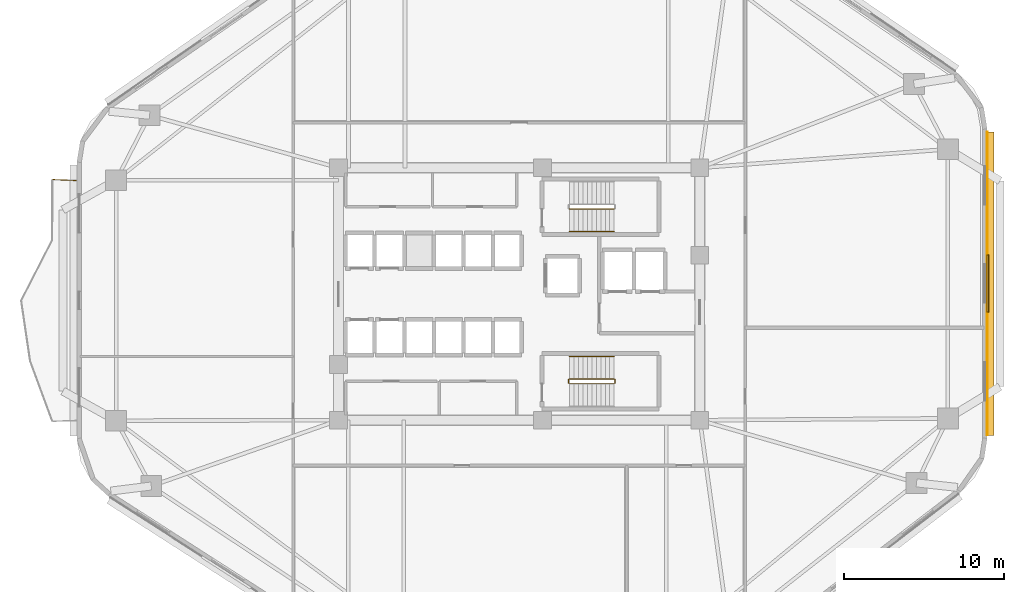
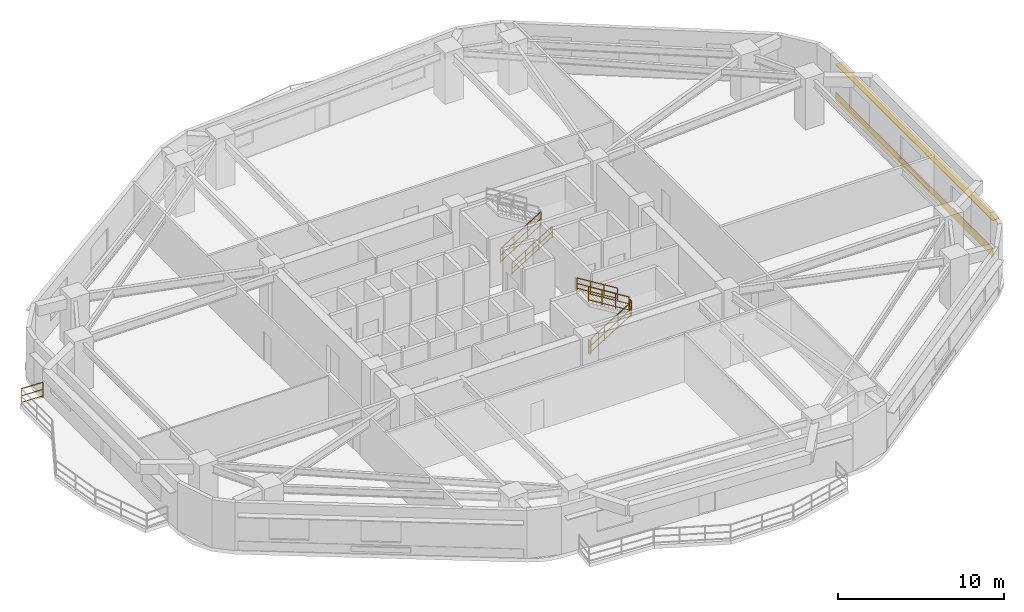
# One storey, part 8 of 11: 8 railings, 2 shading devices, 1 covering.
"""IFC4 building model written with IfcOpenShell, lengths in metres."""

from ifc_helpers import new_model, si_unit, direction, frame, origin, origin_2d, place, context, subcontext, project, spatial, rectangle, extrude, material, layer, layer_set, type_object, element, save


model = new_model("IFC4")

# Units and contexts
model_context = context("Model", 3, precision=1e-05, world=origin(), true_north=direction((0.0, 1.0)))
body_context = subcontext(model_context, "Body", "Model", "MODEL_VIEW")
ifc_project = project(units=[si_unit("LENGTHUNIT", "METRE"), si_unit("AREAUNIT", "SQUARE_METRE"), si_unit("VOLUMEUNIT", "CUBIC_METRE"), si_unit("PLANEANGLEUNIT", "RADIAN"), si_unit("MASSUNIT", "GRAM", prefix="KILO")], contexts=[model_context])

# Site, building, storey
site_placement = place(None, origin())
site = spatial("IfcSite", under=ifc_project, at=site_placement, CompositionType="ELEMENT")
building_placement = place(site_placement, origin())
building = spatial("IfcBuilding", under=site, at=building_placement, Name="Zulverin Broadcast Headquarters", CompositionType="ELEMENT")
storey_placement = place(building_placement, frame((0.0, 0.0, 28.800048828125)))
storey = spatial("IfcBuildingStorey", under=building, at=storey_placement, Name="L06", CompositionType="ELEMENT", Elevation=28.800048828125)

# Covering
ifc_material_1 = material(Name="Brushed pale-aluminium rainscreen cladding", Category="aluminium")
ifc_layer_1 = layer(ifc_material_1, 0.0400390625, Name="Brushed pale-aluminium rainscreen cladding", Category="aluminium")
ifc_layer_set_1 = layer_set([ifc_layer_1], Name="Brushed pale-aluminium rainscreen cladding")
covering_type = type_object("IfcCoveringType", Name="COV-CLAD-PALE", PredefinedType="CLADDING", material=ifc_layer_set_1)
covering_placement = place(storey_placement, frame((66.2099609375, 25.848876953125, 0.054931640625), z_axis=(0.0, 0.0, 1.0), x_axis=(0.0, 1.0, 0.0)))
element("IfcCovering", 1, at=covering_placement, inside=storey, type_object=covering_type, Name="L06 Brushed Pale-Aluminium Spandrel Cladding 3", PredefinedType="CLADDING", context=body_context, shape_type="SweptSolid", body=[
    extrude(rectangle(XDim=18.93115234375, YDim=0.0400390625, at=origin_2d()), origin(), (0.0, 0.0, 1.0), 0.64990234375),
])

# Railings
ifc_material_2 = material(Name="Brushed stainless steel & laminated glass balustrade", Category="steel")
railing_type_1 = type_object("IfcRailingType", Name="RL-GUARD-1150", PredefinedType="GUARDRAIL", material=ifc_material_2)
railing_1_placement = place(storey_placement, frame((9.360107421875, 32.284423828125, 0.0)))
element("IfcRailing", 2, at=railing_1_placement, inside=storey, type_object=railing_type_1, Name="L06 Vertical-Forest Balcony Guardrail BAL_W Segment 01", PredefinedType="GUARDRAIL", context=body_context, shape_type="SweptSolid", body=[
    extrude(rectangle(XDim=0.048095703125, YDim=0.048095703125, at=origin_2d()), frame((0.0, 0.0, 1.1259765625), z_axis=(-0.999181155166, 0.040460093435, 0.0), x_axis=(-0.040460093435, -0.999181155166, 0.0)), (0.0, 0.0, 1.0), 1.46630859375),
    extrude(rectangle(XDim=0.0419921875, YDim=0.0419921875, at=origin_2d()), frame((0.0, 0.0, 0.597900390625), z_axis=(-0.999181155166, 0.040460093435, 0.0), x_axis=(-0.040460093435, -0.999181155166, 0.0)), (0.0, 0.0, 1.0), 1.46630859375),
    extrude(rectangle(XDim=0.0419921875, YDim=0.0419921875, at=origin_2d()), frame((0.0, 0.0, 0.1201171875), z_axis=(-0.999181155166, 0.040460093435, 0.0), x_axis=(-0.040460093435, -0.999181155166, 0.0)), (0.0, 0.0, 1.0), 1.46630859375),
    extrude(rectangle(XDim=0.0419921875, YDim=0.0419921875, at=origin_2d()), origin(), (0.0, 0.0, 1.0), 1.101806640625),
    extrude(rectangle(XDim=0.0419921875, YDim=0.0419921875, at=origin_2d()), frame((-1.465087890625, 0.059326171875, 0.0)), (0.0, 0.0, 1.0), 1.101806640625),
])
ifc_material_3 = material(Name="Painted galvanized steel tubular guardrail S355JR", Category="steel")
railing_type_2 = type_object("IfcRailingType", Name="RL-ST-GUARD", PredefinedType="GUARDRAIL", material=ifc_material_3)
for number, where, name in (
    (3, (40.1298828125, 30.5, 0.172607421875), "L06 ST-1 stair guard 1"),
    (4, (40.1298828125, 19.60009765625, 0.172607421875), "L06 ST-2 stair guard 1"),
):
    element("IfcRailing", number, at=place(storey_placement, frame(where)), inside=storey, type_object=railing_type_2, Name=name, PredefinedType="GUARDRAIL", context=body_context, shape_type="SweptSolid", body=[
        extrude(rectangle(XDim=0.048095703125, YDim=0.048095703125, at=origin_2d()), frame((0.0, 0.0, 1.076171875), z_axis=(0.851089632645, 0.0, 0.525020415988), x_axis=(0.0, 1.0, 0.0)), (0.0, 0.0, 1.0), 3.2900390625),
        extrude(rectangle(XDim=0.0419921875, YDim=0.0419921875, at=origin_2d()), frame((0.0, 0.0, 0.572021484375), z_axis=(0.851089632645, 0.0, 0.525020415988), x_axis=(0.0, 1.0, 0.0)), (0.0, 0.0, 1.0), 3.2900390625),
        extrude(rectangle(XDim=0.0419921875, YDim=0.0419921875, at=origin_2d()), frame((0.0, 0.0, 0.1201171875), z_axis=(0.851089632645, 0.0, 0.525020415988), x_axis=(0.0, 1.0, 0.0)), (0.0, 0.0, 1.0), 3.2900390625),
        extrude(rectangle(XDim=0.0419921875, YDim=0.0419921875, at=origin_2d()), origin(), (0.0, 0.0, 1.0), 1.052001953125),
        extrude(rectangle(XDim=0.0419921875, YDim=0.0419921875, at=origin_2d()), frame((0.933349609375, 0.0, 0.57568359375)), (0.0, 0.0, 1.0), 1.052001953125),
        extrude(rectangle(XDim=0.0419921875, YDim=0.0419921875, at=origin_2d()), frame((1.86669921875, 0.0, 1.151611328125)), (0.0, 0.0, 1.0), 1.052001953125),
        extrude(rectangle(XDim=0.0419921875, YDim=0.0419921875, at=origin_2d()), frame((2.800048828125, 0.0, 1.727294921875)), (0.0, 0.0, 1.0), 1.052001953125),
    ])
railing_2_placement = place(storey_placement, frame((42.97998046875, 19.64990234375, 1.89990234375)))
element("IfcRailing", 5, at=railing_2_placement, inside=storey, type_object=railing_type_2, Name="L06 ST-2 stair guard 2", PredefinedType="GUARDRAIL", context=body_context, shape_type="SweptSolid", body=[
    extrude(rectangle(XDim=0.048095703125, YDim=0.048095703125, at=origin_2d()), frame((0.0, 0.0, 1.076171875), z_axis=(0.0, 1.0, 0.0), x_axis=(-1.0, 0.0, 0.0)), (0.0, 0.0, 1.0), 0.2001953125),
    extrude(rectangle(XDim=0.0419921875, YDim=0.0419921875, at=origin_2d()), frame((0.0, 0.0, 0.572021484375), z_axis=(0.0, 1.0, 0.0), x_axis=(-1.0, 0.0, 0.0)), (0.0, 0.0, 1.0), 0.2001953125),
    extrude(rectangle(XDim=0.0419921875, YDim=0.0419921875, at=origin_2d()), frame((0.0, 0.0, 0.1201171875), z_axis=(0.0, 1.0, 0.0), x_axis=(-1.0, 0.0, 0.0)), (0.0, 0.0, 1.0), 0.2001953125),
    extrude(rectangle(XDim=0.0419921875, YDim=0.0419921875, at=origin_2d()), origin(), (0.0, 0.0, 1.0), 1.052001953125),
    extrude(rectangle(XDim=0.0419921875, YDim=0.0419921875, at=origin_2d()), frame((0.0, 0.2001953125, 0.0)), (0.0, 0.0, 1.0), 1.052001953125),
])
railing_3_placement = place(storey_placement, frame((42.929931640625, 19.89990234375, 2.07275390625)))
element("IfcRailing", 6, at=railing_3_placement, inside=storey, type_object=railing_type_2, Name="L06 ST-2 stair guard 3", PredefinedType="GUARDRAIL", context=body_context, shape_type="SweptSolid", body=[
    extrude(rectangle(XDim=0.048095703125, YDim=0.048095703125, at=origin_2d()), frame((0.0, 0.0, 1.076171875), z_axis=(-0.851089632645, 0.0, 0.525020415988), x_axis=(0.0, -1.0, 0.0)), (0.0, 0.0, 1.0), 3.2900390625),
    extrude(rectangle(XDim=0.0419921875, YDim=0.0419921875, at=origin_2d()), frame((0.0, 0.0, 0.572021484375), z_axis=(-0.851089632645, 0.0, 0.525020415988), x_axis=(0.0, -1.0, 0.0)), (0.0, 0.0, 1.0), 3.2900390625),
    extrude(rectangle(XDim=0.0419921875, YDim=0.0419921875, at=origin_2d()), frame((0.0, 0.0, 0.1201171875), z_axis=(-0.851089632645, 0.0, 0.525020415988), x_axis=(0.0, -1.0, 0.0)), (0.0, 0.0, 1.0), 3.2900390625),
    extrude(rectangle(XDim=0.0419921875, YDim=0.0419921875, at=origin_2d()), origin(), (0.0, 0.0, 1.0), 1.052001953125),
    extrude(rectangle(XDim=0.0419921875, YDim=0.0419921875, at=origin_2d()), frame((-0.933349609375, 0.0, 0.57568359375)), (0.0, 0.0, 1.0), 1.052001953125),
    extrude(rectangle(XDim=0.0419921875, YDim=0.0419921875, at=origin_2d()), frame((-1.86669921875, 0.0, 1.151611328125)), (0.0, 0.0, 1.0), 1.052001953125),
    extrude(rectangle(XDim=0.0419921875, YDim=0.0419921875, at=origin_2d()), frame((-2.800048828125, 0.0, 1.727294921875)), (0.0, 0.0, 1.0), 1.052001953125),
])
railing_4_placement = place(storey_placement, frame((40.080078125, 19.64990234375, 0.0)))
element("IfcRailing", 7, at=railing_4_placement, inside=storey, type_object=railing_type_2, Name="L06 ST-2 stair guard 4", PredefinedType="GUARDRAIL", context=body_context, shape_type="SweptSolid", body=[
    extrude(rectangle(XDim=0.048095703125, YDim=0.048095703125, at=origin_2d()), frame((0.0, 0.0, 1.076171875), z_axis=(0.0, 1.0, 0.0), x_axis=(-1.0, 0.0, 0.0)), (0.0, 0.0, 1.0), 0.2001953125),
    extrude(rectangle(XDim=0.0419921875, YDim=0.0419921875, at=origin_2d()), frame((0.0, 0.0, 0.572021484375), z_axis=(0.0, 1.0, 0.0), x_axis=(-1.0, 0.0, 0.0)), (0.0, 0.0, 1.0), 0.2001953125),
    extrude(rectangle(XDim=0.0419921875, YDim=0.0419921875, at=origin_2d()), frame((0.0, 0.0, 0.1201171875), z_axis=(0.0, 1.0, 0.0), x_axis=(-1.0, 0.0, 0.0)), (0.0, 0.0, 1.0), 0.2001953125),
    extrude(rectangle(XDim=0.0419921875, YDim=0.0419921875, at=origin_2d()), origin(), (0.0, 0.0, 1.0), 1.052001953125),
    extrude(rectangle(XDim=0.0419921875, YDim=0.0419921875, at=origin_2d()), frame((0.0, 0.2001953125, 0.0)), (0.0, 0.0, 1.0), 1.052001953125),
])
ifc_material_4 = material(Name="Brushed stainless steel 48 mm handrail", Category="steel")
railing_type_3 = type_object("IfcRailingType", Name="RL-ST-HAND", PredefinedType="HANDRAIL", material=ifc_material_4)
railing_5_placement = place(storey_placement, frame((40.1298828125, 29.10009765625, 0.172607421875)))
element("IfcRailing", 8, at=railing_5_placement, inside=storey, type_object=railing_type_3, Name="L06 ST-1 stair handrail 1", PredefinedType="HANDRAIL", context=body_context, shape_type="SweptSolid", body=[
    extrude(rectangle(XDim=0.048095703125, YDim=0.048095703125, at=origin_2d()), frame((0.0, 0.0, 0.8759765625), z_axis=(0.851089632645, 0.0, 0.525020415988), x_axis=(0.0, 1.0, 0.0)), (0.0, 0.0, 1.0), 3.2900390625),
    extrude(rectangle(XDim=0.0419921875, YDim=0.0419921875, at=origin_2d()), frame((0.0, 0.0, 0.468017578125), z_axis=(0.851089632645, 0.0, 0.525020415988), x_axis=(0.0, 1.0, 0.0)), (0.0, 0.0, 1.0), 3.2900390625),
    extrude(rectangle(XDim=0.0419921875, YDim=0.0419921875, at=origin_2d()), frame((0.0, 0.0, 0.1201171875), z_axis=(0.851089632645, 0.0, 0.525020415988), x_axis=(0.0, 1.0, 0.0)), (0.0, 0.0, 1.0), 3.2900390625),
    extrude(rectangle(XDim=0.0419921875, YDim=0.0419921875, at=origin_2d()), origin(), (0.0, 0.0, 1.0), 0.851806640625),
    extrude(rectangle(XDim=0.0419921875, YDim=0.0419921875, at=origin_2d()), frame((0.933349609375, 0.0, 0.57568359375)), (0.0, 0.0, 1.0), 0.851806640625),
    extrude(rectangle(XDim=0.0419921875, YDim=0.0419921875, at=origin_2d()), frame((1.86669921875, 0.0, 1.151611328125)), (0.0, 0.0, 1.0), 0.851806640625),
    extrude(rectangle(XDim=0.0419921875, YDim=0.0419921875, at=origin_2d()), frame((2.800048828125, 0.0, 1.727294921875)), (0.0, 0.0, 1.0), 0.851806640625),
])
railing_6_placement = place(storey_placement, frame((42.929931640625, 21.300048828125, 2.07275390625)))
element("IfcRailing", 9, at=railing_6_placement, inside=storey, type_object=railing_type_3, Name="L06 ST-2 stair handrail 2", PredefinedType="HANDRAIL", context=body_context, shape_type="SweptSolid", body=[
    extrude(rectangle(XDim=0.048095703125, YDim=0.048095703125, at=origin_2d()), frame((0.0, 0.0, 0.8759765625), z_axis=(-0.851089632645, 0.0, 0.525020415988), x_axis=(0.0, -1.0, 0.0)), (0.0, 0.0, 1.0), 3.2900390625),
    extrude(rectangle(XDim=0.0419921875, YDim=0.0419921875, at=origin_2d()), frame((0.0, 0.0, 0.468017578125), z_axis=(-0.851089632645, 0.0, 0.525020415988), x_axis=(0.0, -1.0, 0.0)), (0.0, 0.0, 1.0), 3.2900390625),
    extrude(rectangle(XDim=0.0419921875, YDim=0.0419921875, at=origin_2d()), frame((0.0, 0.0, 0.1201171875), z_axis=(-0.851089632645, 0.0, 0.525020415988), x_axis=(0.0, -1.0, 0.0)), (0.0, 0.0, 1.0), 3.2900390625),
    extrude(rectangle(XDim=0.0419921875, YDim=0.0419921875, at=origin_2d()), origin(), (0.0, 0.0, 1.0), 0.851806640625),
    extrude(rectangle(XDim=0.0419921875, YDim=0.0419921875, at=origin_2d()), frame((-0.933349609375, 0.0, 0.57568359375)), (0.0, 0.0, 1.0), 0.851806640625),
    extrude(rectangle(XDim=0.0419921875, YDim=0.0419921875, at=origin_2d()), frame((-1.86669921875, 0.0, 1.151611328125)), (0.0, 0.0, 1.0), 0.851806640625),
    extrude(rectangle(XDim=0.0419921875, YDim=0.0419921875, at=origin_2d()), frame((-2.800048828125, 0.0, 1.727294921875)), (0.0, 0.0, 1.0), 0.851806640625),
])

# Shading devices
ifc_material_5 = material(Name="Anodized pale-metal aluminium acoustic louvre", Category="aluminium")
shading_device_type_1 = type_object("IfcShadingDeviceType", Name="SHD-LOUVRE-350", PredefinedType="USERDEFINED", material=ifc_material_5)
shading_device_1_placement = place(storey_placement, frame((66.239990234375, 25.848876953125, 0.244873046875), z_axis=(0.0, 0.0, 1.0), x_axis=(0.0, 1.0, 0.0)))
element("IfcShadingDevice", 10, at=shading_device_1_placement, inside=storey, type_object=shading_device_type_1, Name="L06 Spandrel Intake Louvre 3", ObjectType="LOUVRE", PredefinedType="USERDEFINED", context=body_context, shape_type="SweptSolid", body=[
    extrude(rectangle(XDim=3.60009765625, YDim=0.1201171875, at=origin_2d()), origin(), (0.0, 0.0, 1.0), 0.35009765625),
])
ifc_material_6 = material(Name="Anodized pale-metal aluminium sunshade", Category="aluminium")
ifc_layer_2 = layer(ifc_material_6, 0.06005859375, Name="Anodized pale-metal aluminium sunshade", Category="aluminium")
ifc_layer_set_2 = layer_set([ifc_layer_2], Name="Anodized pale-metal aluminium sunshade")
shading_device_type_2 = type_object("IfcShadingDeviceType", Name="SS-01_PALE_METAL_ALUMINIUM_SUNSHADE", PredefinedType="USERDEFINED", material=ifc_layer_set_2)
shading_device_2_placement = place(storey_placement, frame((66.39990234375, 25.848876953125, 2.7099609375), z_axis=(0.0, 0.0, 1.0), x_axis=(0.0, 1.0, 0.0)))
element("IfcShadingDevice", 11, at=shading_device_2_placement, inside=storey, type_object=shading_device_type_2, Name="L06 Horizontal Pale-Metal Sunshade Band 3", ObjectType="SUNSHADE", PredefinedType="USERDEFINED", context=body_context, shape_type="SweptSolid", body=[
    extrude(rectangle(XDim=18.93115234375, YDim=0.449951171875, at=origin_2d()), origin(), (0.0, 0.0, 1.0), 0.06005859375),
])

save(model, "model.ifc")
